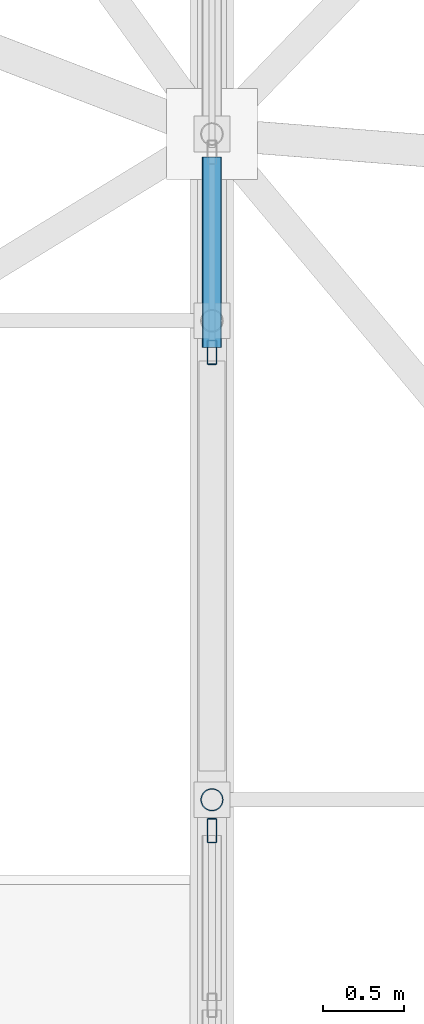
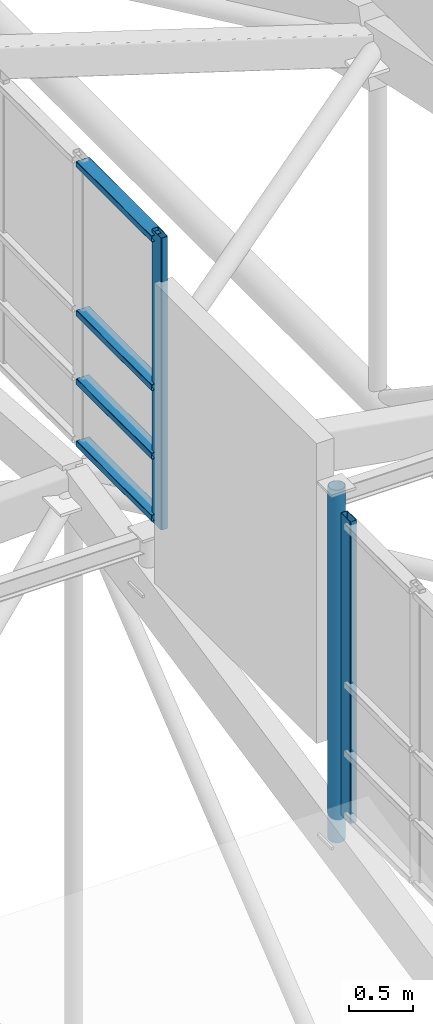
# One storey, part 16 of 188: 7 members, 2 elements without a shape of their own.
"""IFC4 building model written with IfcOpenShell, lengths in metres."""

from ifc_helpers import new_model, si_unit, direction, frame, origin, origin_2d, place, context, subcontext, project, spatial, hollow_rectangle, hollow_circle, extrude, material, layer, layer_set, material_profile, profile_set, type_object, element, aggregate, save


model = new_model("IFC4")

# Units and contexts
model_context = context("Model", 3, precision=1e-05, world=origin(), true_north=direction((0.0, 1.0)))
body_context = subcontext(model_context, "Body", "Model", "MODEL_VIEW")
ifc_project = project(units=[si_unit("LENGTHUNIT", "METRE"), si_unit("AREAUNIT", "SQUARE_METRE"), si_unit("VOLUMEUNIT", "CUBIC_METRE"), si_unit("PLANEANGLEUNIT", "RADIAN"), si_unit("MASSUNIT", "GRAM", prefix="KILO")], contexts=[model_context])

# Site, building, storey
site_placement = place(None, origin())
site = spatial("IfcSite", under=ifc_project, at=site_placement, CompositionType="ELEMENT")
building_placement = place(site_placement, origin())
building = spatial("IfcBuilding", under=site, at=building_placement, Name="Kisaragi Civic Commons", CompositionType="ELEMENT")
storey_placement = place(building_placement, frame((0.0, 0.0, 9.60009765625)))
storey = spatial("IfcBuildingStorey", under=building, at=storey_placement, Name="L02", CompositionType="ELEMENT", Elevation=9.60009765625)

# Curtain wall, member
ifc_material_1 = material(Name="Thermally broken anodized aluminium and low-E double glazing", Category="aluminium")
ifc_layer = layer(ifc_material_1, 0.14990234375, Name="Thermally broken anodized aluminium and low-E double glazing", Category="aluminium")
ifc_layer_set = layer_set([ifc_layer], Name="Thermally broken anodized aluminium and low-E double glazing")
curtain_wall_type = type_object("IfcCurtainWallType", Name="CW-03", PredefinedType="NOTDEFINED", material=ifc_layer_set)
curtain_wall_1_placement = place(storey_placement, origin())
curtain_wall_1 = element("IfcCurtainWall", 1, at=curtain_wall_1_placement, inside=storey, type_object=curtain_wall_type, Name="L02 curtain wall CW-03 CW-CL-V1-141", PredefinedType="NOTDEFINED")
ifc_material_profile_1 = material_profile(ifc_material_1, hollow_rectangle(XDim=0.06005859375, YDim=0.14990234375, WallThickness=0.00390625, InnerFilletRadius=0.00390625, OuterFilletRadius=0.008056640625, at=origin_2d()), Name="CWM-60x150x4", Category="aluminium")
ifc_profile_set_1 = profile_set([ifc_material_profile_1], Name="Thermally broken anodized aluminium and low-E double glazing")
member_type_1 = type_object("IfcMemberType", Name="CWM-01", PredefinedType="MULLION", material=ifc_profile_set_1)
member_1_placement = place(storey_placement, frame((13.60009765625, 28.336669921875, 4.777587890625), z_axis=(0.0, 0.0, 1.0), x_axis=(-1.0, 0.0, 0.0)))
member_1 = element("IfcMember", 2, at=member_1_placement, type_object=member_type_1, Name="CW-03 mullion 3", PredefinedType="MULLION", context=body_context, shape_type="SweptSolid", body=[
    extrude(hollow_rectangle(XDim=0.06005859375, YDim=0.14990234375, WallThickness=0.00390625, InnerFilletRadius=0.00390625, OuterFilletRadius=0.008056640625, at=origin_2d()), origin(), (0.0, 0.0, 1.0), 2.867431640625),
])
aggregate(curtain_wall_1, [member_1])

# Curtain wall, members
curtain_wall_2_placement = place(storey_placement, origin())
curtain_wall_2 = element("IfcCurtainWall", 3, at=curtain_wall_2_placement, inside=storey, type_object=curtain_wall_type, Name="L02 curtain wall CW-03 CW-CL-V1-142", PredefinedType="NOTDEFINED")
member_2_placement = place(storey_placement, frame((13.60009765625, 31.278076171875, 5.783203125), z_axis=(0.0, 0.0, 1.0), x_axis=(-1.0, 0.0, 0.0)))
member_2 = element("IfcMember", 4, at=member_2_placement, type_object=member_type_1, Name="CW-03 mullion 1", PredefinedType="MULLION", context=body_context, shape_type="SweptSolid", body=[
    extrude(hollow_rectangle(XDim=0.06005859375, YDim=0.14990234375, WallThickness=0.00390625, InnerFilletRadius=0.00390625, OuterFilletRadius=0.008056640625, at=origin_2d()), origin(), (0.0, 0.0, 1.0), 2.77392578125),
])
ifc_material_profile_2 = material_profile(ifc_material_1, hollow_rectangle(XDim=0.1201171875, YDim=0.06005859375, WallThickness=0.00390625, InnerFilletRadius=0.00390625, OuterFilletRadius=0.008056640625, at=origin_2d()), Name="CWT-60x120x4", Category="aluminium")
ifc_profile_set_2 = profile_set([ifc_material_profile_2], Name="Thermally broken anodized aluminium and low-E double glazing")
member_type_2 = type_object("IfcMemberType", Name="CWT-01", PredefinedType="USERDEFINED", material=ifc_profile_set_2)
member_3_placement = place(storey_placement, frame((13.60009765625, 31.30810546875, 5.843017578125), z_axis=(0.0, 1.0, 0.0), x_axis=(-1.0, 0.0, 0.0)))
member_3 = element("IfcMember", 5, at=member_3_placement, type_object=member_type_2, Name="CW-03 transom 1.1", ObjectType="TRANSOM", PredefinedType="USERDEFINED", context=body_context, shape_type="SweptSolid", body=[
    extrude(hollow_rectangle(XDim=0.1201171875, YDim=0.06005859375, WallThickness=0.00390625, InnerFilletRadius=0.00390625, OuterFilletRadius=0.008056640625, at=origin_2d()), origin(), (0.0, 0.0, 1.0), 1.170166015625),
])
member_4_placement = place(storey_placement, frame((13.60009765625, 31.30810546875, 6.43310546875), z_axis=(0.0, 1.0, 0.0), x_axis=(-1.0, 0.0, 0.0)))
member_4 = element("IfcMember", 6, at=member_4_placement, type_object=member_type_2, Name="CW-03 transom 1.2", ObjectType="TRANSOM", PredefinedType="USERDEFINED", context=body_context, shape_type="SweptSolid", body=[
    extrude(hollow_rectangle(XDim=0.1201171875, YDim=0.06005859375, WallThickness=0.00390625, InnerFilletRadius=0.00390625, OuterFilletRadius=0.008056640625, at=origin_2d()), origin(), (0.0, 0.0, 1.0), 1.170166015625),
])
member_5_placement = place(storey_placement, frame((13.60009765625, 31.30810546875, 7.0830078125), z_axis=(0.0, 1.0, 0.0), x_axis=(-1.0, 0.0, 0.0)))
member_5 = element("IfcMember", 7, at=member_5_placement, type_object=member_type_2, Name="CW-03 transom 1.3", ObjectType="TRANSOM", PredefinedType="USERDEFINED", context=body_context, shape_type="SweptSolid", body=[
    extrude(hollow_rectangle(XDim=0.1201171875, YDim=0.06005859375, WallThickness=0.00390625, InnerFilletRadius=0.00390625, OuterFilletRadius=0.008056640625, at=origin_2d()), origin(), (0.0, 0.0, 1.0), 1.170166015625),
])
member_6_placement = place(storey_placement, frame((13.60009765625, 31.30810546875, 8.497314453125), z_axis=(0.0, 1.0, 0.0), x_axis=(-1.0, 0.0, 0.0)))
member_6 = element("IfcMember", 8, at=member_6_placement, type_object=member_type_2, Name="CW-03 transom 1.4", ObjectType="TRANSOM", PredefinedType="USERDEFINED", context=body_context, shape_type="SweptSolid", body=[
    extrude(hollow_rectangle(XDim=0.1201171875, YDim=0.06005859375, WallThickness=0.00390625, InnerFilletRadius=0.00390625, OuterFilletRadius=0.008056640625, at=origin_2d()), origin(), (0.0, 0.0, 1.0), 1.170166015625),
])
aggregate(curtain_wall_2, [member_2, member_3, member_4, member_5, member_6])

# Member
ifc_material_2 = material(Name="Steel SN490 (SN490B)", Category="steel")
ifc_material_profile_3 = material_profile(ifc_material_2, hollow_circle(Radius=0.06982421875, WallThickness=0.006103515625, at=origin_2d()), Name="CHS-139.8x6.0", Category="steel")
ifc_profile_set_3 = profile_set([ifc_material_profile_3], Name="Steel SN490 (SN490B)")
member_type_3 = type_object("IfcMemberType", Name="ST-H1", PredefinedType="STRUT", material=ifc_profile_set_3)
member_7_placement = place(storey_placement, frame((13.60009765625, 28.526611328125, 4.47607421875), z_axis=(0.0, 0.0, 1.0), x_axis=(1.0, 0.0, 0.0)))
element("IfcMember", 9, at=member_7_placement, inside=storey, type_object=member_type_3, Name="V1 clerestory monitor horizontal tie strut 3.2.4", PredefinedType="STRUT", context=body_context, shape_type="SweptSolid", body=[
    extrude(hollow_circle(Radius=0.06982421875, WallThickness=0.006103515625, at=origin_2d()), origin(), (0.0, 0.0, 1.0), 3.34765625),
])

save(model, "model.ifc")
